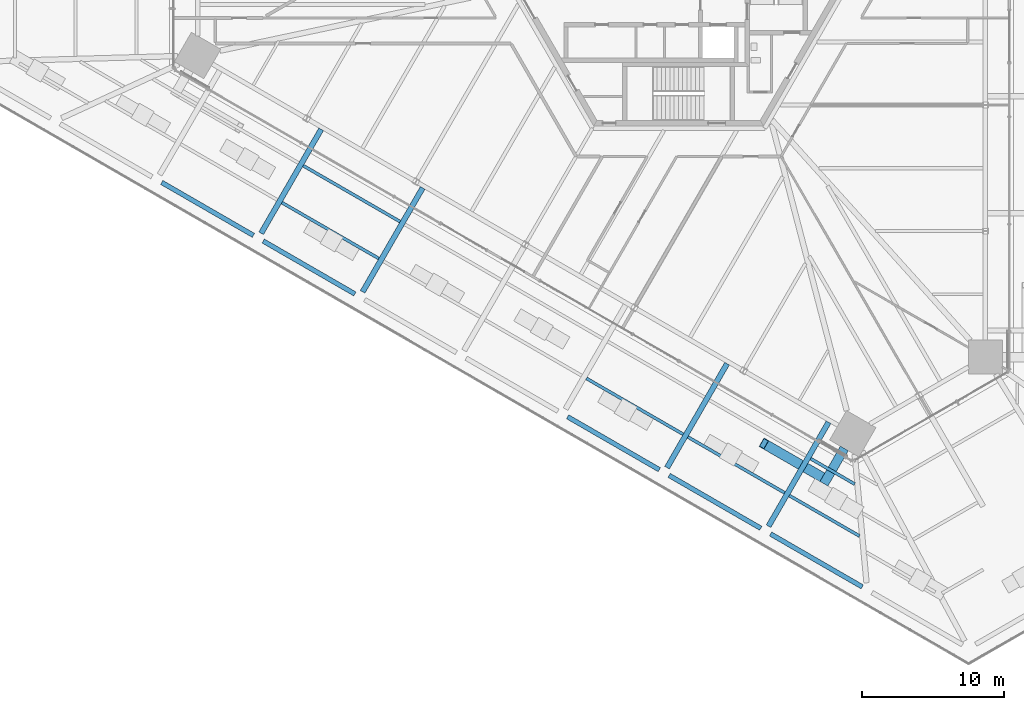
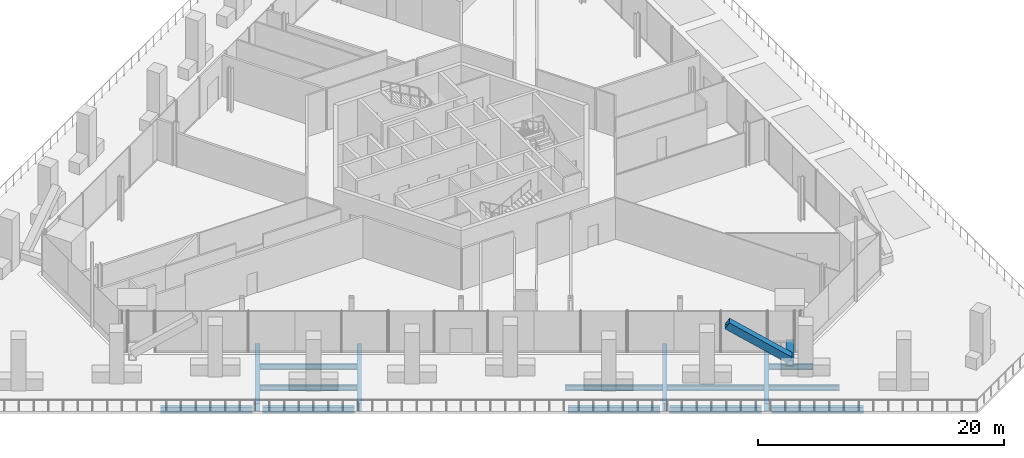
# One storey, part 3 of 38: 15 beams, 2 members.
"""IFC4 building model written with IfcOpenShell, lengths in metres."""

from ifc_helpers import new_model, si_unit, direction, frame, origin, origin_2d, place, context, subcontext, project, spatial, hollow_rectangle, i_section, extrude, source, transform, mapped, material, material_profile, profile_set, type_object, element, save


model = new_model("IFC4")

# Units and contexts
model_context = context("Model", 3, precision=1e-05, world=origin(), true_north=direction((0.0, 1.0)))
body_context = subcontext(model_context, "Body", "Model", "MODEL_VIEW")
ifc_project = project(units=[si_unit("LENGTHUNIT", "METRE"), si_unit("AREAUNIT", "SQUARE_METRE"), si_unit("VOLUMEUNIT", "CUBIC_METRE"), si_unit("PLANEANGLEUNIT", "RADIAN"), si_unit("MASSUNIT", "GRAM", prefix="KILO")], contexts=[model_context])

# Site, building, storey
site_placement = place(None, origin())
site = spatial("IfcSite", under=ifc_project, at=site_placement, CompositionType="ELEMENT")
building_placement = place(site_placement, origin())
building = spatial("IfcBuilding", under=site, at=building_placement, Name="Triune Harvest Tower", CompositionType="ELEMENT")
storey_placement = place(building_placement, frame((0.0, 0.0, 16.0)))
storey = spatial("IfcBuildingStorey", under=building, at=storey_placement, Name="L03", CompositionType="ELEMENT", Elevation=16.0)

# Beams
ifc_material_1 = material(Name="Steel ASTM A992 Gr 50", Category="steel")
ifc_material_profile_1 = material_profile(ifc_material_1, i_section(OverallWidth=0.32763671875, OverallDepth=0.62744140625, WebThickness=0.0166015625, FlangeThickness=0.027587890625, at=origin_2d()), Name="W24x146")
ifc_profile_set_1 = profile_set([ifc_material_profile_1], Name="Steel ASTM A992 Gr 50")
beam_type_1 = type_object("IfcBeamType", Name="PD-4 Podium edge beam W24x146", PredefinedType="BEAM", material=ifc_profile_set_1)
shared_shape_1 = source(origin(), body_context, "Body", "SweptSolid", [
    extrude(i_section(OverallWidth=0.32763671875, OverallDepth=0.62744140625, WebThickness=0.0166015625, FlangeThickness=0.027587890625, at=origin_2d()), origin(), (0.0, 0.0, 1.0), 7.47998046875),
])
for number, where, z_axis, x_axis, name in (
    (1, (-36.523193359375, -14.3798828125, -0.513671875), (0.866008933936, -0.50002852553, 0.0), (0.50002852553, 0.866008933936, 0.0), "beam/L03/PE28"),
    (2, (6.5009765625, -39.219970703125, -0.513671875), (0.866023067432, -0.500004046659, 0.0), (0.500004046659, 0.866023067432, 0.0), "beam/L03/PE34"),
):
    element("IfcBeam", number, at=place(storey_placement, frame(where, z_axis=z_axis, x_axis=x_axis)), inside=storey, type_object=beam_type_1, Name=name, PredefinedType="BEAM", context=body_context, shape_type="MappedRepresentation", body=[
        mapped(shared_shape_1, transform((0.0, 0.0, 0.0), scale=1.0)),
    ])
shared_shape_2 = source(origin(), body_context, "Body", "SweptSolid", [
    extrude(i_section(OverallWidth=0.32763671875, OverallDepth=0.62744140625, WebThickness=0.0166015625, FlangeThickness=0.027587890625, at=origin_2d()), origin(), (0.0, 0.0, 1.0), 7.480224609375),
])
for number, where, z_axis, x_axis, name in (
    (3, (-29.3525390625, -18.52001953125, -0.513671875), (0.866031227086, -0.49998991361, 0.0), (0.49998991361, 0.866031227086, 0.0), "beam/L03/PE29"),
    (4, (-7.840576171875, -30.93994140625, -0.513671875), (0.866031227086, -0.49998991361, 0.0), (0.49998991361, 0.866031227086, 0.0), "beam/L03/PE32"),
    (5, (-0.669921875, -35.080078125, -0.513671875), (0.866031227086, -0.49998991361, 0.0), (0.49998991361, 0.866031227086, 0.0), "beam/L03/PE33"),
):
    element("IfcBeam", number, at=place(storey_placement, frame(where, z_axis=z_axis, x_axis=x_axis)), inside=storey, type_object=beam_type_1, Name=name, PredefinedType="BEAM", context=body_context, shape_type="MappedRepresentation", body=[
        mapped(shared_shape_2, transform((0.0, 0.0, 0.0), scale=1.0)),
    ])
ifc_material_2 = material(Name="Steel ASTM A992 Gr 50", Category="steel")
ifc_material_profile_2 = material_profile(ifc_material_2, i_section(OverallWidth=0.2138671875, OverallDepth=0.548583984375, WebThickness=0.0146484375, FlangeThickness=0.023681640625, at=origin_2d()), Name="W21x93")
ifc_profile_set_2 = profile_set([ifc_material_profile_2], Name="Steel ASTM A992 Gr 50")
beam_type_2 = type_object("IfcBeamType", Name="PD-5 Podium joist W21x93", PredefinedType="JOIST", material=ifc_profile_set_2)
shared_shape_3 = source(origin(), body_context, "Body", "SweptSolid", [
    extrude(i_section(OverallWidth=0.2138671875, OverallDepth=0.548583984375, WebThickness=0.0146484375, FlangeThickness=0.023681640625, at=origin_2d()), origin(), (0.0, 0.0, 1.0), 3.59619140625),
])
beam_1_placement = place(storey_placement, frame((9.331298828125, -33.898681640625, -0.474365234375), z_axis=(0.866062364587, -0.499935976547, 0.0), x_axis=(0.499935976547, 0.866062364587, 0.0)))
element("IfcBeam", 6, at=beam_1_placement, inside=storey, type_object=beam_type_2, Name="beam/L03/PJ74", PredefinedType="JOIST", context=body_context, shape_type="MappedRepresentation", body=[
    mapped(shared_shape_3, transform((0.0, 0.0, 0.0), scale=1.0)),
])
shared_shape_4 = source(origin(), body_context, "Body", "SweptSolid", [
    extrude(i_section(OverallWidth=0.2138671875, OverallDepth=0.548583984375, WebThickness=0.0146484375, FlangeThickness=0.023681640625, at=origin_2d()), origin(), (0.0, 0.0, 1.0), 7.89892578125),
])
for number, where, z_axis, x_axis, name in (
    (7, (-26.52197265625, -13.198486328125, -0.474365234375), (0.866009037848, -0.500028345562, 0.0), (0.500028345562, 0.866009037848, 0.0), "beam/L03/PJ64"),
    (8, (0.65478515625, -32.366943359375, -0.474365234375), (0.866022421773, -0.50000516496, 0.0), (0.50000516496, 0.866022421773, 0.0), "beam/L03/PJ71"),
):
    element("IfcBeam", number, at=place(storey_placement, frame(where, z_axis=z_axis, x_axis=x_axis)), inside=storey, type_object=beam_type_2, Name=name, PredefinedType="JOIST", context=body_context, shape_type="MappedRepresentation", body=[
        mapped(shared_shape_4, transform((0.0, 0.0, 0.0), scale=1.0)),
    ])
shared_shape_5 = source(origin(), body_context, "Body", "SweptSolid", [
    extrude(i_section(OverallWidth=0.2138671875, OverallDepth=0.548583984375, WebThickness=0.0146484375, FlangeThickness=0.023681640625, at=origin_2d()), origin(), (0.0, 0.0, 1.0), 7.899169921875),
])
for number, where, z_axis, x_axis, name in (
    (9, (-28.028076171875, -15.806884765625, -0.474365234375), (0.866030148722, -0.499991781437, 0.0), (0.499991781437, 0.866030148722, 0.0), "beam/L03/PJ63"),
    (10, (-6.51611328125, -28.226806640625, -0.474365234375), (0.866016765394, -0.500014961832, 0.0), (0.500014961832, 0.866016765394, 0.0), "beam/L03/PJ69"),
):
    element("IfcBeam", number, at=place(storey_placement, frame(where, z_axis=z_axis, x_axis=x_axis)), inside=storey, type_object=beam_type_2, Name=name, PredefinedType="JOIST", context=body_context, shape_type="MappedRepresentation", body=[
        mapped(shared_shape_5, transform((0.0, 0.0, 0.0), scale=1.0)),
    ])
shared_shape_6 = source(origin(), body_context, "Body", "SweptSolid", [
    extrude(i_section(OverallWidth=0.2138671875, OverallDepth=0.548583984375, WebThickness=0.0146484375, FlangeThickness=0.023681640625, at=origin_2d()), origin(), (0.0, 0.0, 1.0), 5.726318359375),
])
beam_2_placement = place(storey_placement, frame((7.825439453125, -36.5068359375, -0.474365234375), z_axis=(0.866009501729, -0.500027542156, 0.0), x_axis=(0.500027542156, 0.866009501729, 0.0)))
element("IfcBeam", 11, at=beam_2_placement, inside=storey, type_object=beam_type_2, Name="beam/L03/PJ73", PredefinedType="JOIST", context=body_context, shape_type="MappedRepresentation", body=[
    mapped(shared_shape_6, transform((0.0, 0.0, 0.0), scale=1.0)),
])
ifc_material_3 = material(Name="Steel ASTM A992 Gr 50", Category="steel")
ifc_material_profile_3 = material_profile(ifc_material_3, i_section(OverallWidth=0.381103515625, OverallDepth=0.772216796875, WebThickness=0.0166015625, FlangeThickness=0.027099609375, at=origin_2d()), Name="W30x173")
ifc_profile_set_3 = profile_set([ifc_material_profile_3], Name="Steel ASTM A992 Gr 50")
beam_type_3 = type_object("IfcBeamType", Name="PD-3 Podium girder W30x173", PredefinedType="BEAM", material=ifc_profile_set_3)
shared_shape_7 = source(origin(), body_context, "Body", "SweptSolid", [
    extrude(i_section(OverallWidth=0.381103515625, OverallDepth=0.772216796875, WebThickness=0.0166015625, FlangeThickness=0.027099609375, at=origin_2d()), origin(), (0.0, 0.0, 1.0), 8.483154296875),
])
for number, where, z_axis, x_axis, name in (
    (12, (-29.498779296875, -17.9736328125, -0.586181640625), (0.499986524641, 0.866033183647, 0.0), (-0.866033183647, 0.499986524641, 0.0), "beam/L03/PR31"),
    (13, (-0.816162109375, -34.53369140625, -0.586181640625), (0.499986524641, 0.866033183647, 0.0), (-0.866033183647, 0.499986524641, 0.0), "beam/L03/PR35"),
    (14, (6.3544921875, -38.673583984375, -0.586181640625), (0.5000081092, 0.866020721885, 0.0), (-0.866020721885, 0.5000081092, 0.0), "beam/L03/PR36"),
):
    element("IfcBeam", number, at=place(storey_placement, frame(where, z_axis=z_axis, x_axis=x_axis)), inside=storey, type_object=beam_type_3, Name=name, PredefinedType="BEAM", context=body_context, shape_type="MappedRepresentation", body=[
        mapped(shared_shape_7, transform((0.0, 0.0, 0.0), scale=1.0)),
    ])
shared_shape_8 = source(origin(), body_context, "Body", "SweptSolid", [
    extrude(i_section(OverallWidth=0.381103515625, OverallDepth=0.772216796875, WebThickness=0.0166015625, FlangeThickness=0.027099609375, at=origin_2d()), origin(), (0.0, 0.0, 1.0), 8.48291015625),
])
beam_3_placement = place(storey_placement, frame((-22.328125, -22.113525390625, -0.586181640625), z_axis=(0.499998986572, 0.866025988887, 0.0), x_axis=(-0.866025988887, 0.499998986572, 0.0)))
element("IfcBeam", 15, at=beam_3_placement, inside=storey, type_object=beam_type_3, Name="beam/L03/PR32", PredefinedType="BEAM", context=body_context, shape_type="MappedRepresentation", body=[
    mapped(shared_shape_8, transform((0.0, 0.0, 0.0), scale=1.0)),
])

# Members
ifc_material_4 = material(Name="Steel ASTM A572 Gr 50", Category="steel")
ifc_material_profile_4 = material_profile(ifc_material_4, hollow_rectangle(XDim=0.64990234375, YDim=0.64990234375, WallThickness=0.070068359375, at=origin_2d()), Name="Box 650x650x70")
ifc_profile_set_4 = profile_set([ifc_material_profile_4], Name="Steel ASTM A572 Gr 50")
member_type_1 = type_object("IfcMemberType", Name="BS-1 Brace stub Box 650x650x70", PredefinedType="STRUT", material=ifc_profile_set_4)
shared_shape_9 = source(origin(), body_context, "Body", "SweptSolid", [
    extrude(hollow_rectangle(XDim=0.64990234375, YDim=0.64990234375, WallThickness=0.070068359375, at=origin_2d()), origin(), (0.0, 0.0, 1.0), 2.8720703125),
])
member_1_placement = place(storey_placement, frame((11.708984375, -33.17919921875, 0.60009765625), z_axis=(-0.499933402489, -0.866063850461, 0.0), x_axis=(0.866063850461, -0.499933402489, 0.0)))
element("IfcMember", 16, at=member_1_placement, inside=storey, type_object=member_type_1, Name="brace/B1-F5/stub3", PredefinedType="STRUT", context=body_context, shape_type="MappedRepresentation", body=[
    mapped(shared_shape_9, transform((0.0, 0.0, 0.0), scale=1.0)),
])
ifc_material_5 = material(Name="Steel ASTM A572 Gr 50", Category="steel")
ifc_material_profile_5 = material_profile(ifc_material_5, hollow_rectangle(XDim=0.699951171875, YDim=0.699951171875, WallThickness=0.0400390625, at=origin_2d()), Name="Box 700x700x40")
ifc_profile_set_5 = profile_set([ifc_material_profile_5], Name="Steel ASTM A572 Gr 50")
member_type_2 = type_object("IfcMemberType", Name="BR-1 Brace Box 700x700x40", PredefinedType="BRACE", material=ifc_profile_set_5)
shared_shape_10 = source(origin(), body_context, "Body", "SweptSolid", [
    extrude(hollow_rectangle(XDim=0.699951171875, YDim=0.699951171875, WallThickness=0.0400390625, at=origin_2d()), origin(), (0.0, 0.0, 1.0), 6.12890625),
])
member_2_placement = place(storey_placement, frame((10.438232421875, -35.380615234375, 0.889892578125), z_axis=(-0.719593116194, 0.415463946964, 0.556395053806), x_axis=(-0.500006018292, -0.866021929094, 0.0)))
element("IfcMember", 17, at=member_2_placement, inside=storey, type_object=member_type_2, Name="brace/B1-F5/d2/1", PredefinedType="BRACE", context=body_context, shape_type="MappedRepresentation", body=[
    mapped(shared_shape_10, transform((0.0, 0.0, 0.0), scale=1.0)),
])

save(model, "model.ifc")
